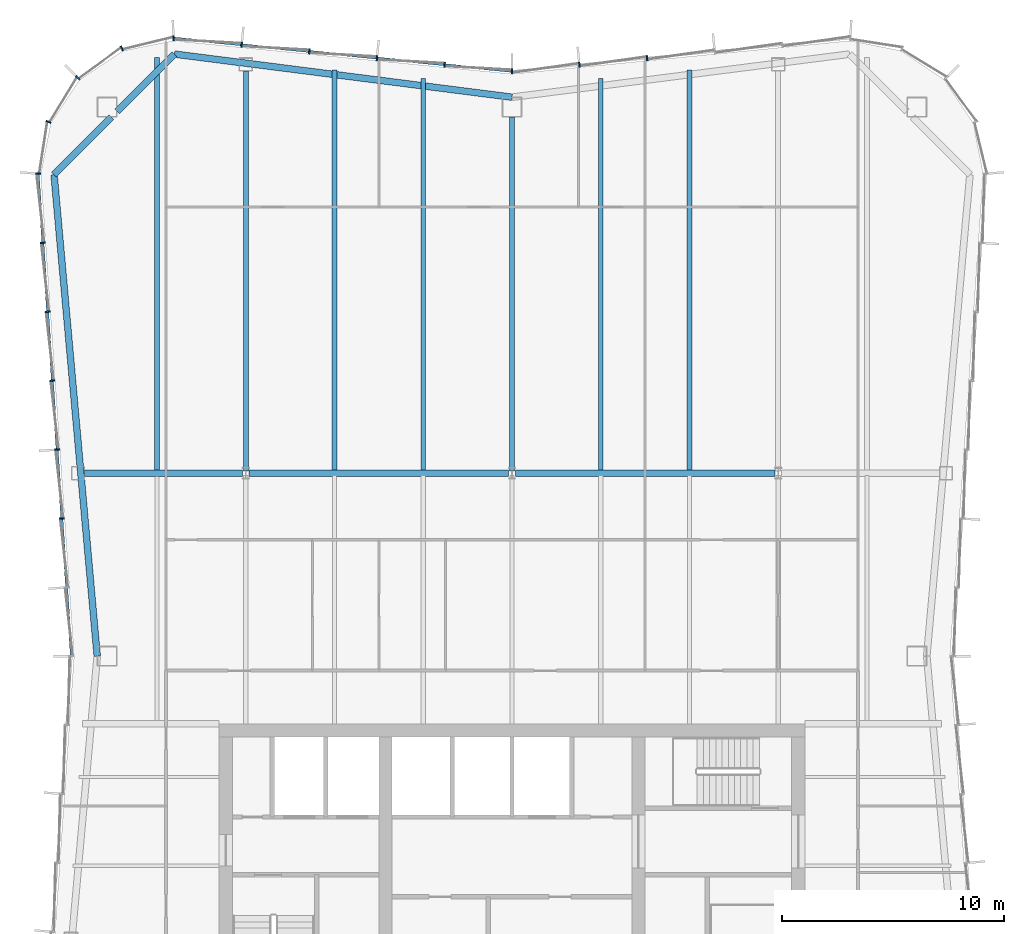
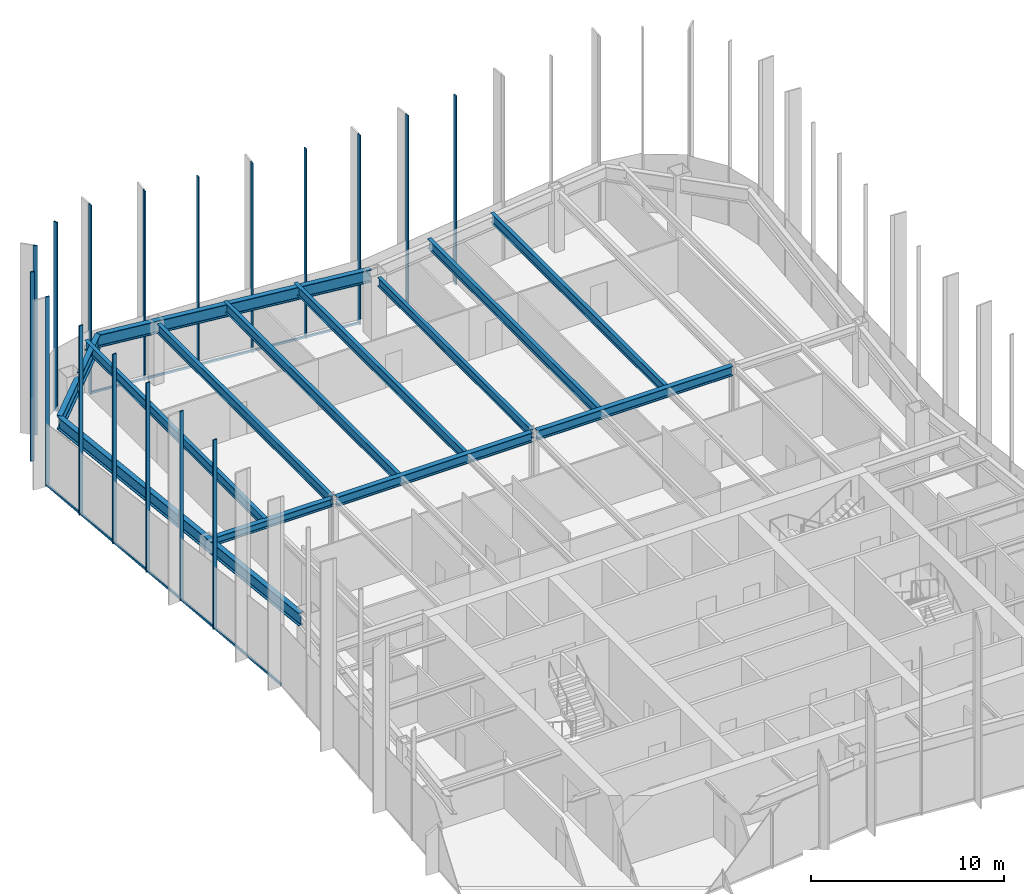
# One storey, part 6 of 13: 19 members, 14 beams, 3 elements without a shape of their own.
"""IFC4 building model written with IfcOpenShell, lengths in metres."""

from ifc_helpers import new_model, si_unit, direction, frame, origin, origin_2d, place, context, subcontext, project, spatial, rectangle, i_section, extrude, material, material_profile, profile_set, type_object, element, aggregate, save


model = new_model("IFC4")

# Units and contexts
model_context = context("Model", 3, precision=1e-05, world=origin(), true_north=direction((0.0, 1.0)))
body_context = subcontext(model_context, "Body", "Model", "MODEL_VIEW")
ifc_project = project(units=[si_unit("LENGTHUNIT", "METRE"), si_unit("AREAUNIT", "SQUARE_METRE"), si_unit("VOLUMEUNIT", "CUBIC_METRE"), si_unit("PLANEANGLEUNIT", "RADIAN"), si_unit("MASSUNIT", "GRAM", prefix="KILO")], contexts=[model_context])

# Site, building, storey
site_placement = place(None, origin())
site = spatial("IfcSite", under=ifc_project, at=site_placement, CompositionType="ELEMENT")
building_placement = place(site_placement, origin())
building = spatial("IfcBuilding", under=site, at=building_placement, Name="Verdant Reach Tower", CompositionType="ELEMENT")
storey_placement = place(building_placement, frame((0.0, 0.0, 306.0)))
storey = spatial("IfcBuildingStorey", under=building, at=storey_placement, Name="L70", CompositionType="ELEMENT", Elevation=306.0)

# Curtain wall, members
ifc_material_1 = material(Name="Anodised aluminium", Category="aluminium")
curtain_wall_type = type_object("IfcCurtainWallType", Name="EN-CW SYSTEM Z5", PredefinedType="NOTDEFINED", material=ifc_material_1)
curtain_wall_1_placement = place(storey_placement, origin())
curtain_wall_1 = element("IfcCurtainWall", 1, at=curtain_wall_1_placement, inside=storey, type_object=curtain_wall_type, Name="Curtain wall north, L70", PredefinedType="NOTDEFINED")
ifc_material_profile_1 = material_profile(ifc_material_1, rectangle(XDim=0.22998046875, YDim=0.070068359375, at=origin_2d()), Name="Mullion 70x230")
ifc_profile_set_1 = profile_set([ifc_material_profile_1], Name="Anodised aluminium")
member_type_1 = type_object("IfcMemberType", Name="EN-MULLION Z5", PredefinedType="MULLION", material=ifc_profile_set_1)
member_1_placement = place(storey_placement, frame((6.088623046875, 68.21435546875, -0.35009765625), z_axis=(0.0, 0.0, 1.0), x_axis=(-0.09788826992, 0.995197410875, 0.0)))
member_1 = element("IfcMember", 2, at=member_1_placement, type_object=member_type_1, Name="Mullion north face part 1 4, L70", PredefinedType="MULLION", context=body_context, shape_type="SweptSolid", body=[
    extrude(rectangle(XDim=0.22998046875, YDim=0.070068359375, at=origin_2d()), origin(), (0.0, 0.0, 1.0), 12.0),
])
member_2_placement = place(storey_placement, frame((3.038818359375, 67.91455078125, -0.35009765625), z_axis=(0.0, 0.0, 1.0), x_axis=(-0.09788826992, 0.995197410875, 0.0)))
member_2 = element("IfcMember", 3, at=member_2_placement, type_object=member_type_1, Name="Mullion north face part 1 5, L70", PredefinedType="MULLION", context=body_context, shape_type="SweptSolid", body=[
    extrude(rectangle(XDim=0.22998046875, YDim=0.070068359375, at=origin_2d()), origin(), (0.0, 0.0, 1.0), 12.0),
])
member_3_placement = place(storey_placement, frame((0.0, 67.614990234375, -0.35009765625), z_axis=(0.0, 0.0, 1.0), x_axis=(0.0, 1.0, 0.0)))
member_3 = element("IfcMember", 4, at=member_3_placement, type_object=member_type_1, Name="Mullion north face part 2 1, L70", PredefinedType="MULLION", context=body_context, shape_type="SweptSolid", body=[
    extrude(rectangle(XDim=0.22998046875, YDim=0.070068359375, at=origin_2d()), origin(), (0.0, 0.0, 1.0), 12.0),
])
member_4_placement = place(storey_placement, frame((-3.038818359375, 67.91455078125, -0.35009765625), z_axis=(0.0, 0.0, 1.0), x_axis=(0.09788826992, 0.995197410875, 0.0)))
member_4 = element("IfcMember", 5, at=member_4_placement, type_object=member_type_1, Name="Mullion north face part 2 2, L70", PredefinedType="MULLION", context=body_context, shape_type="SweptSolid", body=[
    extrude(rectangle(XDim=0.22998046875, YDim=0.070068359375, at=origin_2d()), origin(), (0.0, 0.0, 1.0), 12.0),
])
member_5_placement = place(storey_placement, frame((-6.088623046875, 68.21435546875, -0.35009765625), z_axis=(0.0, 0.0, 1.0), x_axis=(0.09788826992, 0.995197410875, 0.0)))
member_5 = element("IfcMember", 6, at=member_5_placement, type_object=member_type_1, Name="Mullion north face part 2 3, L70", PredefinedType="MULLION", context=body_context, shape_type="SweptSolid", body=[
    extrude(rectangle(XDim=0.22998046875, YDim=0.070068359375, at=origin_2d()), origin(), (0.0, 0.0, 1.0), 12.0),
])
member_6_placement = place(storey_placement, frame((-9.138671875, 68.514404296875, -0.35009765625), z_axis=(0.0, 0.0, 1.0), x_axis=(0.09788826992, 0.995197410875, 0.0)))
member_6 = element("IfcMember", 7, at=member_6_placement, type_object=member_type_1, Name="Mullion north face part 2 4, L70", PredefinedType="MULLION", context=body_context, shape_type="SweptSolid", body=[
    extrude(rectangle(XDim=0.22998046875, YDim=0.070068359375, at=origin_2d()), origin(), (0.0, 0.0, 1.0), 12.0),
])
member_7_placement = place(storey_placement, frame((-12.188720703125, 68.814453125, -0.35009765625), z_axis=(0.0, 0.0, 1.0), x_axis=(0.09788826992, 0.995197410875, 0.0)))
member_7 = element("IfcMember", 8, at=member_7_placement, type_object=member_type_1, Name="Mullion north face part 2 5, L70", PredefinedType="MULLION", context=body_context, shape_type="SweptSolid", body=[
    extrude(rectangle(XDim=0.22998046875, YDim=0.070068359375, at=origin_2d()), origin(), (0.0, 0.0, 1.0), 12.0),
])

curtain_wall_2_placement = place(storey_placement, origin())
curtain_wall_2 = element("IfcCurtainWall", 9, at=curtain_wall_2_placement, inside=storey, type_object=curtain_wall_type, Name="Curtain wall north-west corner, L70", PredefinedType="NOTDEFINED")
member_8_placement = place(storey_placement, frame((-15.255615234375, 69.11474609375, -0.35009765625), z_axis=(0.0, 0.0, 1.0), x_axis=(-0.049127596288, 0.998792510626, 0.0)))
member_8 = element("IfcMember", 10, at=member_8_placement, type_object=member_type_1, Name="Mullion north-west corner 1, L70", PredefinedType="MULLION", context=body_context, shape_type="SweptSolid", body=[
    extrude(rectangle(XDim=0.22998046875, YDim=0.070068359375, at=origin_2d()), origin(), (0.0, 0.0, 1.0), 12.0),
])
member_9_placement = place(storey_placement, frame((-17.590087890625, 68.649658203125, -0.35009765625), z_axis=(0.0, 0.0, 1.0), x_axis=(-0.382693853776, 0.923875215753, 0.0)))
member_9 = element("IfcMember", 11, at=member_9_placement, type_object=member_type_1, Name="Mullion north-west corner 2, L70", PredefinedType="MULLION", context=body_context, shape_type="SweptSolid", body=[
    extrude(rectangle(XDim=0.22998046875, YDim=0.070068359375, at=origin_2d()), origin(), (0.0, 0.0, 1.0), 12.0),
])
member_10_placement = place(storey_placement, frame((-19.573974609375, 67.323974609375, -0.35009765625), z_axis=(0.0, 0.0, 1.0), x_axis=(-0.707106781187, 0.707106781187, 0.0)))
member_10 = element("IfcMember", 12, at=member_10_placement, type_object=member_type_1, Name="Mullion north-west corner 3, L70", PredefinedType="MULLION", context=body_context, shape_type="SweptSolid", body=[
    extrude(rectangle(XDim=0.22998046875, YDim=0.070068359375, at=origin_2d()), origin(), (0.0, 0.0, 1.0), 12.0),
])
member_11_placement = place(storey_placement, frame((-20.899658203125, 65.340087890625, -0.35009765625), z_axis=(0.0, 0.0, 1.0), x_axis=(-0.923875215753, 0.382693853776, 0.0)))
member_11 = element("IfcMember", 13, at=member_11_placement, type_object=member_type_1, Name="Mullion north-west corner 4, L70", PredefinedType="MULLION", context=body_context, shape_type="SweptSolid", body=[
    extrude(rectangle(XDim=0.22998046875, YDim=0.070068359375, at=origin_2d()), origin(), (0.0, 0.0, 1.0), 12.0),
])
aggregate(curtain_wall_2, [member_8, member_9, member_10, member_11])

curtain_wall_3_placement = place(storey_placement, origin())
curtain_wall_3 = element("IfcCurtainWall", 14, at=curtain_wall_3_placement, inside=storey, type_object=curtain_wall_type, Name="Curtain wall west, L70", PredefinedType="NOTDEFINED")
member_12_placement = place(storey_placement, frame((-21.36474609375, 63.00732421875, -0.35009765625), z_axis=(0.0, 0.0, 1.0), x_axis=(-0.997969180898, 0.063698618332, 0.0)))
member_12 = element("IfcMember", 15, at=member_12_placement, type_object=member_type_1, Name="Mullion west face part 1 1, L70", PredefinedType="MULLION", context=body_context, shape_type="SweptSolid", body=[
    extrude(rectangle(XDim=0.22998046875, YDim=0.070068359375, at=origin_2d()), origin(), (0.0, 0.0, 1.0), 12.0),
])
member_13_placement = place(storey_placement, frame((-21.150390625, 59.885009765625, -0.35009765625), z_axis=(0.0, 0.0, 1.0), x_axis=(-0.997630328423, -0.068802091615, 0.0)))
member_13 = element("IfcMember", 16, at=member_13_placement, type_object=member_type_1, Name="Mullion west face part 1 2, L70", PredefinedType="MULLION", context=body_context, shape_type="SweptSolid", body=[
    extrude(rectangle(XDim=0.22998046875, YDim=0.070068359375, at=origin_2d()), origin(), (0.0, 0.0, 1.0), 12.0),
])
member_14_placement = place(storey_placement, frame((-20.93603515625, 56.77783203125, -0.35009765625), z_axis=(0.0, 0.0, 1.0), x_axis=(-0.997630328423, -0.068802091615, 0.0)))
member_14 = element("IfcMember", 17, at=member_14_placement, type_object=member_type_1, Name="Mullion west face part 1 3, L70", PredefinedType="MULLION", context=body_context, shape_type="SweptSolid", body=[
    extrude(rectangle(XDim=0.22998046875, YDim=0.070068359375, at=origin_2d()), origin(), (0.0, 0.0, 1.0), 12.0),
])
member_15_placement = place(storey_placement, frame((-20.721923828125, 53.670654296875, -0.35009765625), z_axis=(0.0, 0.0, 1.0), x_axis=(-0.997630328423, -0.068802091615, 0.0)))
member_15 = element("IfcMember", 18, at=member_15_placement, type_object=member_type_1, Name="Mullion west face part 1 4, L70", PredefinedType="MULLION", context=body_context, shape_type="SweptSolid", body=[
    extrude(rectangle(XDim=0.22998046875, YDim=0.070068359375, at=origin_2d()), origin(), (0.0, 0.0, 1.0), 12.0),
])
member_16_placement = place(storey_placement, frame((-20.507568359375, 50.5634765625, -0.35009765625), z_axis=(0.0, 0.0, 1.0), x_axis=(-0.997630328423, -0.068802091615, 0.0)))
member_16 = element("IfcMember", 19, at=member_16_placement, type_object=member_type_1, Name="Mullion west face part 1 5, L70", PredefinedType="MULLION", context=body_context, shape_type="SweptSolid", body=[
    extrude(rectangle(XDim=0.22998046875, YDim=0.070068359375, at=origin_2d()), origin(), (0.0, 0.0, 1.0), 12.0),
])
member_17_placement = place(storey_placement, frame((-20.293212890625, 47.456298828125, -0.35009765625), z_axis=(0.0, 0.0, 1.0), x_axis=(-0.997630328423, -0.068802091615, 0.0)))
member_17 = element("IfcMember", 20, at=member_17_placement, type_object=member_type_1, Name="Mullion west face part 1 6, L70", PredefinedType="MULLION", context=body_context, shape_type="SweptSolid", body=[
    extrude(rectangle(XDim=0.22998046875, YDim=0.070068359375, at=origin_2d()), origin(), (0.0, 0.0, 1.0), 12.0),
])

# Member
ifc_material_profile_2 = material_profile(ifc_material_1, rectangle(XDim=0.10009765625, YDim=0.1298828125, at=origin_2d()), Name="Transom 130x100")
ifc_profile_set_2 = profile_set([ifc_material_profile_2], Name="Anodised aluminium")
member_type_2 = type_object("IfcMemberType", Name="EN-TRANSOM Z5", PredefinedType="USERDEFINED", material=ifc_profile_set_2)
member_18_placement = place(storey_placement, frame((-0.034912109375, 67.618408203125, -0.284912109375), z_axis=(-0.99520229006, 0.097838652171, 0.0), x_axis=(-0.097838652171, -0.99520229006, 0.0)))
member_18 = element("IfcMember", 21, at=member_18_placement, type_object=member_type_2, Name="Transom north face part 2 1.1, L70", ObjectType="TRANSOM", PredefinedType="USERDEFINED", context=body_context, shape_type="SweptSolid", body=[
    extrude(rectangle(XDim=0.10009765625, YDim=0.1298828125, at=origin_2d()), origin(), (0.0, 0.0, 1.0), 15.259033203125),
])

aggregate(curtain_wall_1, [member_1, member_2, member_3, member_4, member_5, member_6, member_7, member_18])

member_19_placement = place(storey_placement, frame((-21.3623046875, 62.972412109375, -0.284912109375), z_axis=(0.068764705107, -0.997632906099, 0.0), x_axis=(0.997632906099, 0.068764705107, 0.0)))
member_19 = element("IfcMember", 22, at=member_19_placement, type_object=member_type_2, Name="Transom west face part 1 1.1, L70", ObjectType="TRANSOM", PredefinedType="USERDEFINED", context=body_context, shape_type="SweptSolid", body=[
    extrude(rectangle(XDim=0.10009765625, YDim=0.1298828125, at=origin_2d()), origin(), (0.0, 0.0, 1.0), 21.739013671875),
])

aggregate(curtain_wall_3, [member_12, member_13, member_14, member_15, member_16, member_17, member_19])

# Beams
ifc_material_2 = material(Name="Steel S355", Category="steel")
ifc_material_profile_3 = material_profile(ifc_material_2, i_section(OverallWidth=0.300048828125, OverallDepth=0.489990234375, WebThickness=0.011962890625, FlangeThickness=0.02294921875, FilletRadius=0.027099609375, at=origin_2d()), Name="HEA 500")
ifc_profile_set_3 = profile_set([ifc_material_profile_3], Name="Steel S355")
beam_type_1 = type_object("IfcBeamType", Name="ST-BEAM-HEA500", PredefinedType="BEAM", material=ifc_profile_set_3)
beam_1_placement = place(storey_placement, frame((-19.26904296875, 49.5, 3.625), z_axis=(1.0, 0.0, 0.0), x_axis=(0.0, 1.0, 0.0)))
element("IfcBeam", 23, at=beam_1_placement, inside=storey, type_object=beam_type_1, Name="Row girder, L70", PredefinedType="BEAM", context=body_context, shape_type="SweptSolid", body=[
    extrude(i_section(OverallWidth=0.300048828125, OverallDepth=0.489990234375, WebThickness=0.011962890625, FlangeThickness=0.02294921875, FilletRadius=0.027099609375, at=origin_2d()), origin(), (0.0, 0.0, 1.0), 7.115966796875),
])
ifc_material_profile_4 = material_profile(ifc_material_2, i_section(OverallWidth=0.300048828125, OverallDepth=0.60009765625, WebThickness=0.015380859375, FlangeThickness=0.030029296875, FilletRadius=0.027099609375, at=origin_2d()), Name="HEB 600")
ifc_profile_set_4 = profile_set([ifc_material_profile_4], Name="Steel S355")
beam_type_2 = type_object("IfcBeamType", Name="ST-BEAM-HEB600", PredefinedType="BEAM", material=ifc_profile_set_4)
for number, where, z_axis, x_axis, name in (
    (24, (-11.846923828125, 49.5, 3.570068359375), (1.0, 0.0, 0.0), (0.0, 1.0, 0.0), "Row girder, L70"),
    (25, (0.153076171875, 49.5, 3.570068359375), (1.0, 0.0, 0.0), (0.0, 1.0, 0.0), "Row girder, L70"),
):
    element("IfcBeam", number, at=place(storey_placement, frame(where, z_axis=z_axis, x_axis=x_axis)), inside=storey, type_object=beam_type_2, Name=name, PredefinedType="BEAM", context=body_context, shape_type="SweptSolid", body=[
        extrude(i_section(OverallWidth=0.300048828125, OverallDepth=0.60009765625, WebThickness=0.015380859375, FlangeThickness=0.030029296875, FilletRadius=0.027099609375, at=origin_2d()), origin(), (0.0, 0.0, 1.0), 11.69384765625),
    ])
ifc_material_profile_5 = material_profile(ifc_material_2, i_section(OverallWidth=0.2099609375, OverallDepth=0.550048828125, WebThickness=0.010986328125, FlangeThickness=0.01708984375, FilletRadius=0.02392578125, at=origin_2d()), Name="IPE 550")
ifc_profile_set_5 = profile_set([ifc_material_profile_5], Name="Steel S355")
beam_type_3 = type_object("IfcBeamType", Name="ST-JOIST-IPE550", PredefinedType="JOIST", material=ifc_profile_set_5)
beam_2_placement = place(storey_placement, frame((0.0, 49.60009765625, 3.594970703125), z_axis=(0.0, 1.0, 0.0), x_axis=(-1.0, 0.0, 0.0)))
element("IfcBeam", 26, at=beam_2_placement, inside=storey, type_object=beam_type_3, Name="Floor joist, L70", PredefinedType="JOIST", context=body_context, shape_type="SweptSolid", body=[
    extrude(i_section(OverallWidth=0.2099609375, OverallDepth=0.550048828125, WebThickness=0.010986328125, FlangeThickness=0.01708984375, FilletRadius=0.02392578125, at=origin_2d()), origin(), (0.0, 0.0, 1.0), 15.949951171875),
])
ifc_material_profile_6 = material_profile(ifc_material_2, i_section(OverallWidth=0.219970703125, OverallDepth=0.60009765625, WebThickness=0.011962890625, FlangeThickness=0.01904296875, FilletRadius=0.02392578125, at=origin_2d()), Name="IPE 600")
ifc_profile_set_6 = profile_set([ifc_material_profile_6], Name="Steel S355")
beam_type_4 = type_object("IfcBeamType", Name="ST-JOIST-IPE600", PredefinedType="JOIST", material=ifc_profile_set_6)
beam_3_placement = place(storey_placement, frame((-16.0, 49.60009765625, 3.570068359375), z_axis=(0.0, 1.0, 0.0), x_axis=(-1.0, 0.0, 0.0)))
element("IfcBeam", 27, at=beam_3_placement, inside=storey, type_object=beam_type_4, Name="Floor joist, L70", PredefinedType="JOIST", context=body_context, shape_type="SweptSolid", body=[
    extrude(i_section(OverallWidth=0.219970703125, OverallDepth=0.60009765625, WebThickness=0.011962890625, FlangeThickness=0.01904296875, FilletRadius=0.02392578125, at=origin_2d()), origin(), (0.0, 0.0, 1.0), 18.638916015625),
])
beam_4_placement = place(storey_placement, frame((-12.0, 49.60009765625, 3.570068359375), z_axis=(0.0, 1.0, 0.0), x_axis=(-1.0, 0.0, 0.0)))
element("IfcBeam", 28, at=beam_4_placement, inside=storey, type_object=beam_type_4, Name="Floor joist, L70", PredefinedType="JOIST", context=body_context, shape_type="SweptSolid", body=[
    extrude(i_section(OverallWidth=0.219970703125, OverallDepth=0.60009765625, WebThickness=0.011962890625, FlangeThickness=0.01904296875, FilletRadius=0.02392578125, at=origin_2d()), origin(), (0.0, 0.0, 1.0), 18.0302734375),
])
beam_5_placement = place(storey_placement, frame((-8.0, 49.60009765625, 3.570068359375), z_axis=(0.0, 1.0, 0.0), x_axis=(-1.0, 0.0, 0.0)))
element("IfcBeam", 29, at=beam_5_placement, inside=storey, type_object=beam_type_4, Name="Floor joist, L70", PredefinedType="JOIST", context=body_context, shape_type="SweptSolid", body=[
    extrude(i_section(OverallWidth=0.219970703125, OverallDepth=0.60009765625, WebThickness=0.011962890625, FlangeThickness=0.01904296875, FilletRadius=0.02392578125, at=origin_2d()), origin(), (0.0, 0.0, 1.0), 18.083984375),
])
for number, where, z_axis, x_axis, name in (
    (30, (-4.0, 49.60009765625, 3.570068359375), (0.0, 1.0, 0.0), (-1.0, 0.0, 0.0), "Floor joist, L70"),
    (31, (4.0, 49.60009765625, 3.570068359375), (0.0, 1.0, 0.0), (-1.0, 0.0, 0.0), "Floor joist, L70"),
):
    element("IfcBeam", number, at=place(storey_placement, frame(where, z_axis=z_axis, x_axis=x_axis)), inside=storey, type_object=beam_type_4, Name=name, PredefinedType="JOIST", context=body_context, shape_type="SweptSolid", body=[
        extrude(i_section(OverallWidth=0.219970703125, OverallDepth=0.60009765625, WebThickness=0.011962890625, FlangeThickness=0.01904296875, FilletRadius=0.02392578125, at=origin_2d()), origin(), (0.0, 0.0, 1.0), 17.6904296875),
    ])
beam_6_placement = place(storey_placement, frame((8.0, 49.60009765625, 3.570068359375), z_axis=(0.0, 1.0, 0.0), x_axis=(-1.0, 0.0, 0.0)))
element("IfcBeam", 32, at=beam_6_placement, inside=storey, type_object=beam_type_4, Name="Floor joist, L70", PredefinedType="JOIST", context=body_context, shape_type="SweptSolid", body=[
    extrude(i_section(OverallWidth=0.219970703125, OverallDepth=0.60009765625, WebThickness=0.011962890625, FlangeThickness=0.01904296875, FilletRadius=0.02392578125, at=origin_2d()), origin(), (0.0, 0.0, 1.0), 18.083984375),
])
ifc_material_profile_7 = material_profile(ifc_material_2, i_section(OverallWidth=0.300048828125, OverallDepth=0.800048828125, WebThickness=0.017578125, FlangeThickness=0.032958984375, FilletRadius=0.030029296875, at=origin_2d()), Name="HEB 800")
ifc_profile_set_7 = profile_set([ifc_material_profile_7], Name="Steel S355")
beam_type_5 = type_object("IfcBeamType", Name="ST-SPANDREL-HEB800", PredefinedType="SPANDREL", material=ifc_profile_set_7)
beam_7_placement = place(storey_placement, frame((-18.699951171875, 41.25, 3.469970703125), z_axis=(-0.089274399498, 0.996007069048, 0.0), x_axis=(-0.996007069048, -0.089274399498, 0.0)))
element("IfcBeam", 33, at=beam_7_placement, inside=storey, type_object=beam_type_5, Name="Edge beam, L70", PredefinedType="SPANDREL", context=body_context, shape_type="SweptSolid", body=[
    extrude(i_section(OverallWidth=0.300048828125, OverallDepth=0.800048828125, WebThickness=0.017578125, FlangeThickness=0.032958984375, FilletRadius=0.030029296875, at=origin_2d()), origin(), (0.0, 0.0, 1.0), 21.798583984375),
])
beam_8_placement = place(storey_placement, frame((-15.22021484375, 68.394287109375, 3.469970703125), z_axis=(0.991938889669, -0.126717162063, 0.0), x_axis=(0.126717162063, 0.991938889669, 0.0)))
element("IfcBeam", 34, at=beam_8_placement, inside=storey, type_object=beam_type_5, Name="Edge beam, L70", PredefinedType="SPANDREL", context=body_context, shape_type="SweptSolid", body=[
    extrude(i_section(OverallWidth=0.300048828125, OverallDepth=0.800048828125, WebThickness=0.017578125, FlangeThickness=0.032958984375, FilletRadius=0.030029296875, at=origin_2d()), origin(), (0.0, 0.0, 1.0), 15.343994140625),
])
ifc_material_profile_8 = material_profile(ifc_material_2, i_section(OverallWidth=0.302001953125, OverallDepth=0.909912109375, WebThickness=0.02099609375, FlangeThickness=0.0400390625, FilletRadius=0.030029296875, at=origin_2d()), Name="HEM 900")
ifc_profile_set_8 = profile_set([ifc_material_profile_8], Name="Steel S355")
beam_type_6 = type_object("IfcBeamType", Name="ST-SPANDREL-HEM900", PredefinedType="SPANDREL", material=ifc_profile_set_8)
beam_9_placement = place(storey_placement, frame((-20.64599609375, 62.96142578125, 3.4150390625), z_axis=(0.706639493403, 0.707573760369, 0.0), x_axis=(-0.707573760369, 0.706639493403, 0.0)))
element("IfcBeam", 35, at=beam_9_placement, inside=storey, type_object=beam_type_6, Name="Edge beam, L70", PredefinedType="SPANDREL", context=body_context, shape_type="SweptSolid", body=[
    extrude(i_section(OverallWidth=0.302001953125, OverallDepth=0.909912109375, WebThickness=0.02099609375, FlangeThickness=0.0400390625, FilletRadius=0.030029296875, at=origin_2d()), origin(), (0.0, 0.0, 1.0), 3.658447265625),
])
beam_10_placement = place(storey_placement, frame((-17.800048828125, 65.81103515625, 3.4150390625), z_axis=(0.706638520854, 0.707574731632, 0.0), x_axis=(-0.707574731632, 0.706638520854, 0.0)))
element("IfcBeam", 36, at=beam_10_placement, inside=storey, type_object=beam_type_6, Name="Edge beam, L70", PredefinedType="SPANDREL", context=body_context, shape_type="SweptSolid", body=[
    extrude(i_section(OverallWidth=0.302001953125, OverallDepth=0.909912109375, WebThickness=0.02099609375, FlangeThickness=0.0400390625, FilletRadius=0.030029296875, at=origin_2d()), origin(), (0.0, 0.0, 1.0), 3.65087890625),
])

save(model, "model.ifc")
